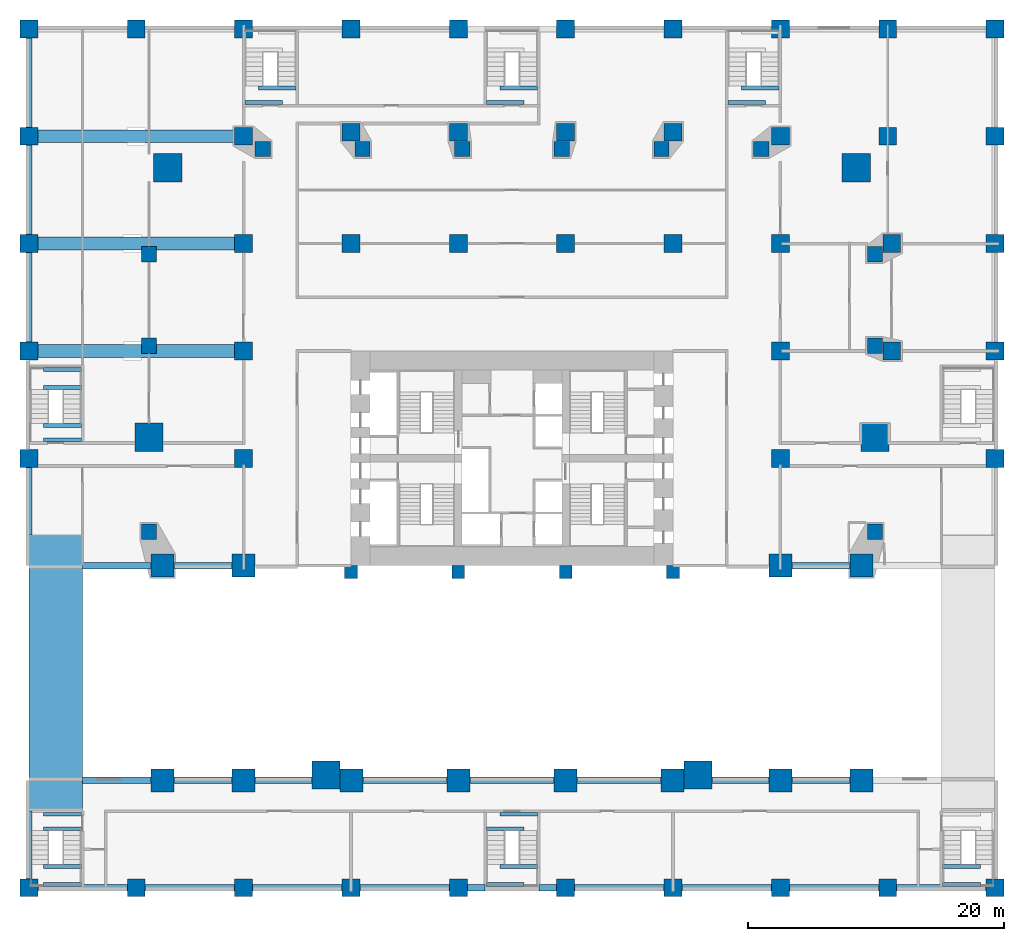
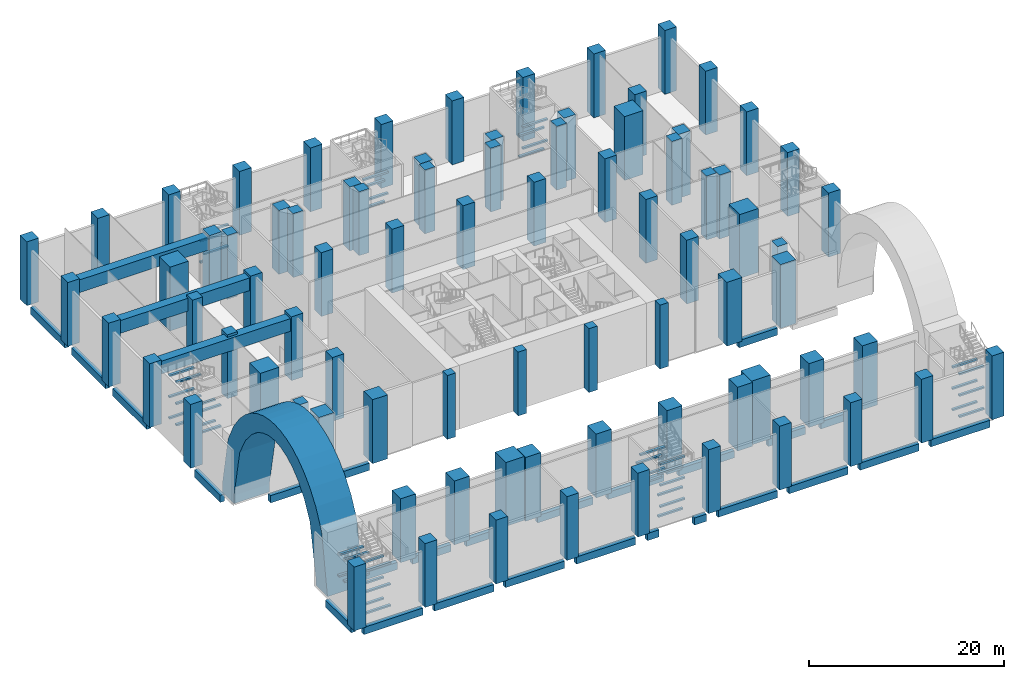
# One storey, part 1 of 19: 81 columns, 78 beams.
"""IFC4 building model written with IfcOpenShell, lengths in metres."""

from ifc_helpers import new_model, si_unit, direction, frame, frame_2d, origin, origin_2d, place, context, subcontext, project, spatial, polyline, rectangle, outline, extrude, material, layer, layer_set, material_profile, profile_set, type_object, element, save


model = new_model("IFC4")

# Units and contexts
model_context = context("Model", 3, precision=1e-05, world=origin(), true_north=direction((0.0, 1.0)))
body_context = subcontext(model_context, "Body", "Model", "MODEL_VIEW")
ifc_project = project(units=[si_unit("LENGTHUNIT", "METRE"), si_unit("AREAUNIT", "SQUARE_METRE"), si_unit("VOLUMEUNIT", "CUBIC_METRE"), si_unit("PLANEANGLEUNIT", "RADIAN"), si_unit("MASSUNIT", "GRAM", prefix="KILO")], contexts=[model_context])

# Site, building, storey
site_placement = place(None, origin())
site = spatial("IfcSite", under=ifc_project, at=site_placement, CompositionType="ELEMENT")
building_placement = place(site_placement, origin())
building = spatial("IfcBuilding", under=site, at=building_placement, Name="Marenta Gate Hotel Tower", CompositionType="ELEMENT")
storey_placement = place(building_placement, frame((0.0, 0.0, 13.0)))
storey = spatial("IfcBuildingStorey", under=building, at=storey_placement, Name="L02", CompositionType="ELEMENT", Elevation=13.0)

# Columns
ifc_material_1 = material(Name="Concrete C80", Category="concrete")
ifc_material_profile_1 = material_profile(ifc_material_1, rectangle(XDim=1.0, YDim=1.0, at=origin_2d()), Name="1000 x 1000")
ifc_profile_set_1 = profile_set([ifc_material_profile_1], Name="Concrete C80")
column_type_1 = type_object("IfcColumnType", Name="Core pier 1000 x 1000 C80", PredefinedType="COLUMN", material=ifc_profile_set_1)
for number, where, z_axis, x_axis, name in (
    (1, (-12.60009765625, -0.5, 0.0), (0.0, 0.0, 1.0), (1.0, 0.0, 0.0), "L02-CP--12.6"),
    (2, (-4.199951171875, -0.5, 0.0), (0.0, 0.0, 1.0), (1.0, 0.0, 0.0), "L02-CP--4.2"),
    (3, (4.199951171875, -0.5, 0.0), (0.0, 0.0, 1.0), (1.0, 0.0, 0.0), "L02-CP-+4.2"),
    (4, (12.60009765625, -0.5, 0.0), (0.0, 0.0, 1.0), (1.0, 0.0, 0.0), "L02-CP-+12.6"),
):
    element("IfcColumn", number, at=place(storey_placement, frame(where, z_axis=z_axis, x_axis=x_axis)), inside=storey, type_object=column_type_1, Name=name, PredefinedType="COLUMN", context=body_context, shape_type="SweptSolid", body=[
        extrude(rectangle(XDim=1.0, YDim=1.0, at=origin_2d()), origin(), (0.0, 0.0, 1.0), 8.0),
    ])
ifc_material_2 = material(Name="Concrete C80", Category="concrete")
ifc_material_profile_2 = material_profile(ifc_material_2, rectangle(XDim=1.800048828125, YDim=1.800048828125, at=origin_2d()), Name="1800 x 1800")
ifc_profile_set_2 = profile_set([ifc_material_profile_2], Name="Concrete C80")
column_type_2 = type_object("IfcColumnType", Name="Gate lane column 1800 x 1800 C80", PredefinedType="COLUMN", material=ifc_profile_set_2)
for number, where, z_axis, x_axis, name in (
    (5, (-21.0, -16.800048828125, 0.0), (0.0, 0.0, 1.0), (1.0, 0.0, 0.0), "L02-PCOL-4/D"),
    (6, (-12.54638671875, -16.800048828125, 0.0), (0.0, 0.0, 1.0), (1.0, 0.0, 0.0), "L02-PCOL-5/D"),
    (7, (-4.199951171875, -16.800048828125, 0.0), (0.0, 0.0, 1.0), (1.0, 0.0, 0.0), "L02-PCOL-6/D"),
    (8, (4.199951171875, -16.800048828125, 0.0), (0.0, 0.0, 1.0), (1.0, 0.0, 0.0), "L02-PCOL-7/D"),
    (9, (12.54638671875, -16.800048828125, 0.0), (0.0, 0.0, 1.0), (1.0, 0.0, 0.0), "L02-PCOL-8/D"),
    (10, (21.0, -16.800048828125, 0.0), (0.0, 0.0, 1.0), (1.0, 0.0, 0.0), "L02-PCOL-9/D"),
    (11, (-21.0, 0.0, 0.0), (0.0, 0.0, 1.0), (1.0, 0.0, 0.0), "L02-PCOL-4/F"),
    (12, (21.0, 0.0, 0.0), (0.0, 0.0, 1.0), (1.0, 0.0, 0.0), "L02-PCOL-9/F"),
    (13, (-27.363037109375, -16.800048828125, 0.0), (0.0, 0.0, 1.0), (1.0, 0.0, 0.0), "L02-PCOL-WS-lane"),
    (14, (-27.363037109375, 0.0, 0.0), (0.0, 0.0, 1.0), (1.0, 0.0, 0.0), "L02-PCOL-WN-lane"),
    (15, (27.363037109375, -16.800048828125, 0.0), (0.0, 0.0, 1.0), (1.0, 0.0, 0.0), "L02-PCOL-ES-lane"),
    (16, (27.363037109375, 0.0, 0.0), (0.0, 0.0, 1.0), (1.0, 0.0, 0.0), "L02-PCOL-EN-lane"),
):
    element("IfcColumn", number, at=place(storey_placement, frame(where, z_axis=z_axis, x_axis=x_axis)), inside=storey, type_object=column_type_2, Name=name, PredefinedType="COLUMN", context=body_context, shape_type="SweptSolid", body=[
        extrude(rectangle(XDim=1.800048828125, YDim=1.800048828125, at=origin_2d()), origin(), (0.0, 0.0, 1.0), 8.0),
    ])
ifc_material_3 = material(Name="Concrete C70", Category="concrete")
ifc_material_profile_3 = material_profile(ifc_material_3, rectangle(XDim=1.199951171875, YDim=1.199951171875, at=origin_2d()), Name="1200 x 1200")
ifc_profile_set_3 = profile_set([ifc_material_profile_3], Name="Concrete C70")
column_type_3 = type_object("IfcColumnType", Name="Podium base column 1200 x 1200 C70", PredefinedType="COLUMN", material=ifc_profile_set_3)
for number, where, z_axis, x_axis, name in (
    (17, (-28.39990234375, 2.649169921875, 0.0), (0.0, 0.0, 1.0), (1.0, 0.0, 0.0), "L02-BC-SW-W-2"),
    (18, (-28.39990234375, 17.203125, 0.0), (0.0, 0.0, 1.0), (1.0, 0.0, 0.0), "L02-BC-W-NW-1"),
    (19, (-28.39990234375, 24.3564453125, 0.0), (0.0, 0.0, 1.0), (1.0, 0.0, 0.0), "L02-BC-W-NW-2"),
    (20, (-19.5068359375, 32.60009765625, 0.0), (0.0, 0.0, 1.0), (1.0, 0.0, 0.0), "L02-BC-NW-NE-1"),
    (21, (-11.7041015625, 32.60009765625, 0.0), (0.0, 0.0, 1.0), (1.0, 0.0, 0.0), "L02-BC-NW-NE-2"),
    (22, (-3.9013671875, 32.60009765625, 0.0), (0.0, 0.0, 1.0), (1.0, 0.0, 0.0), "L02-BC-NW-NE-3"),
    (23, (3.9013671875, 32.60009765625, 0.0), (0.0, 0.0, 1.0), (1.0, 0.0, 0.0), "L02-BC-NW-NE-4"),
    (24, (11.7041015625, 32.60009765625, 0.0), (0.0, 0.0, 1.0), (1.0, 0.0, 0.0), "L02-BC-NW-NE-5"),
    (25, (19.5068359375, 32.60009765625, 0.0), (0.0, 0.0, 1.0), (1.0, 0.0, 0.0), "L02-BC-NW-NE-6"),
    (26, (28.39990234375, 24.3564453125, 0.0), (0.0, 0.0, 1.0), (1.0, 0.0, 0.0), "L02-BC-NE-E-1"),
    (27, (28.39990234375, 17.203125, 0.0), (0.0, 0.0, 1.0), (1.0, 0.0, 0.0), "L02-BC-NE-E-2"),
    (28, (28.39990234375, 2.649169921875, 0.0), (0.0, 0.0, 1.0), (1.0, 0.0, 0.0), "L02-BC-E-SE-1"),
):
    element("IfcColumn", number, at=place(storey_placement, frame(where, z_axis=z_axis, x_axis=x_axis)), inside=storey, type_object=column_type_3, Name=name, PredefinedType="COLUMN", context=body_context, shape_type="SweptSolid", body=[
        extrude(rectangle(XDim=1.199951171875, YDim=1.199951171875, at=origin_2d()), origin(), (0.0, 0.0, 1.0), 8.0),
    ])
ifc_material_4 = material(Name="Concrete C70", Category="concrete")
ifc_material_profile_4 = material_profile(ifc_material_4, rectangle(XDim=1.39990234375, YDim=1.39990234375, at=origin_2d()), Name="1400 x 1400")
ifc_profile_set_4 = profile_set([ifc_material_profile_4], Name="Concrete C70")
column_type_4 = type_object("IfcColumnType", Name="Podium column 1400 x 1400 C70", PredefinedType="COLUMN", material=ifc_profile_set_4)
for number, where, z_axis, x_axis, name in (
    (29, (-37.800048828125, -25.199951171875, 0.0), (0.0, 0.0, 1.0), (1.0, 0.0, 0.0), "L02-PCOL-2/C"),
    (30, (-29.39990234375, -25.199951171875, 0.0), (0.0, 0.0, 1.0), (1.0, 0.0, 0.0), "L02-PCOL-3/C"),
    (31, (-21.0, -25.199951171875, 0.0), (0.0, 0.0, 1.0), (1.0, 0.0, 0.0), "L02-PCOL-4/C"),
    (32, (-12.60009765625, -25.199951171875, 0.0), (0.0, 0.0, 1.0), (1.0, 0.0, 0.0), "L02-PCOL-5/C"),
    (33, (-4.199951171875, -25.199951171875, 0.0), (0.0, 0.0, 1.0), (1.0, 0.0, 0.0), "L02-PCOL-6/C"),
    (34, (4.199951171875, -25.199951171875, 0.0), (0.0, 0.0, 1.0), (1.0, 0.0, 0.0), "L02-PCOL-7/C"),
    (35, (12.60009765625, -25.199951171875, 0.0), (0.0, 0.0, 1.0), (1.0, 0.0, 0.0), "L02-PCOL-8/C"),
    (36, (21.0, -25.199951171875, 0.0), (0.0, 0.0, 1.0), (1.0, 0.0, 0.0), "L02-PCOL-9/C"),
    (37, (29.39990234375, -25.199951171875, 0.0), (0.0, 0.0, 1.0), (1.0, 0.0, 0.0), "L02-PCOL-10/C"),
    (38, (37.800048828125, -25.199951171875, 0.0), (0.0, 0.0, 1.0), (1.0, 0.0, 0.0), "L02-PCOL-11/C"),
    (39, (-37.800048828125, 8.39990234375, 0.0), (0.0, 0.0, 1.0), (1.0, 0.0, 0.0), "L02-PCOL-2/G"),
    (40, (-21.0, 8.39990234375, 0.0), (0.0, 0.0, 1.0), (1.0, 0.0, 0.0), "L02-PCOL-4/G"),
    (41, (21.0, 8.39990234375, 0.0), (0.0, 0.0, 1.0), (1.0, 0.0, 0.0), "L02-PCOL-9/G"),
    (42, (37.800048828125, 8.39990234375, 0.0), (0.0, 0.0, 1.0), (1.0, 0.0, 0.0), "L02-PCOL-11/G"),
    (43, (-37.800048828125, 16.800048828125, 0.0), (0.0, 0.0, 1.0), (1.0, 0.0, 0.0), "L02-PCOL-2/H"),
    (44, (-21.0, 16.800048828125, 0.0), (0.0, 0.0, 1.0), (1.0, 0.0, 0.0), "L02-PCOL-4/H"),
    (45, (21.0, 16.800048828125, 0.0), (0.0, 0.0, 1.0), (1.0, 0.0, 0.0), "L02-PCOL-9/H"),
    (46, (29.719970703125, 16.800048828125, 0.0), (0.0, 0.0, 1.0), (1.0, 0.0, 0.0), "L02-PCOL-10/H"),
    (47, (37.800048828125, 16.800048828125, 0.0), (0.0, 0.0, 1.0), (1.0, 0.0, 0.0), "L02-PCOL-11/H"),
    (48, (-37.800048828125, 25.199951171875, 0.0), (0.0, 0.0, 1.0), (1.0, 0.0, 0.0), "L02-PCOL-2/I"),
    (49, (-21.0, 25.199951171875, 0.0), (0.0, 0.0, 1.0), (1.0, 0.0, 0.0), "L02-PCOL-4/I"),
    (50, (-12.60009765625, 25.199951171875, 0.0), (0.0, 0.0, 1.0), (1.0, 0.0, 0.0), "L02-PCOL-5/I"),
    (51, (-4.199951171875, 25.199951171875, 0.0), (0.0, 0.0, 1.0), (1.0, 0.0, 0.0), "L02-PCOL-6/I"),
    (52, (4.199951171875, 25.199951171875, 0.0), (0.0, 0.0, 1.0), (1.0, 0.0, 0.0), "L02-PCOL-7/I"),
    (53, (12.60009765625, 25.199951171875, 0.0), (0.0, 0.0, 1.0), (1.0, 0.0, 0.0), "L02-PCOL-8/I"),
    (54, (21.0, 25.199951171875, 0.0), (0.0, 0.0, 1.0), (1.0, 0.0, 0.0), "L02-PCOL-9/I"),
    (55, (29.719970703125, 25.199951171875, 0.0), (0.0, 0.0, 1.0), (1.0, 0.0, 0.0), "L02-PCOL-10/I"),
    (56, (37.800048828125, 25.199951171875, 0.0), (0.0, 0.0, 1.0), (1.0, 0.0, 0.0), "L02-PCOL-11/I"),
    (57, (-37.800048828125, 33.60009765625, 0.0), (0.0, 0.0, 1.0), (1.0, 0.0, 0.0), "L02-PCOL-2/J"),
    (58, (-21.0, 33.60009765625, 0.0), (0.0, 0.0, 1.0), (1.0, 0.0, 0.0), "L02-PCOL-4/J"),
    (59, (-12.60009765625, 33.919921875, 0.0), (0.0, 0.0, 1.0), (1.0, 0.0, 0.0), "L02-PCOL-5/J"),
    (60, (-4.199951171875, 33.919921875, 0.0), (0.0, 0.0, 1.0), (1.0, 0.0, 0.0), "L02-PCOL-6/J"),
    (61, (4.199951171875, 33.919921875, 0.0), (0.0, 0.0, 1.0), (1.0, 0.0, 0.0), "L02-PCOL-7/J"),
    (62, (12.60009765625, 33.919921875, 0.0), (0.0, 0.0, 1.0), (1.0, 0.0, 0.0), "L02-PCOL-8/J"),
    (63, (21.0, 33.60009765625, 0.0), (0.0, 0.0, 1.0), (1.0, 0.0, 0.0), "L02-PCOL-9/J"),
    (64, (29.39990234375, 33.60009765625, 0.0), (0.0, 0.0, 1.0), (1.0, 0.0, 0.0), "L02-PCOL-10/J"),
    (65, (37.800048828125, 33.60009765625, 0.0), (0.0, 0.0, 1.0), (1.0, 0.0, 0.0), "L02-PCOL-11/J"),
    (66, (-37.800048828125, 42.0, 0.0), (0.0, 0.0, 1.0), (1.0, 0.0, 0.0), "L02-PCOL-2/K"),
    (67, (-29.39990234375, 42.0, 0.0), (0.0, 0.0, 1.0), (1.0, 0.0, 0.0), "L02-PCOL-3/K"),
    (68, (-21.0, 42.0, 0.0), (0.0, 0.0, 1.0), (1.0, 0.0, 0.0), "L02-PCOL-4/K"),
    (69, (-12.60009765625, 42.0, 0.0), (0.0, 0.0, 1.0), (1.0, 0.0, 0.0), "L02-PCOL-5/K"),
    (70, (-4.199951171875, 42.0, 0.0), (0.0, 0.0, 1.0), (1.0, 0.0, 0.0), "L02-PCOL-6/K"),
    (71, (4.199951171875, 42.0, 0.0), (0.0, 0.0, 1.0), (1.0, 0.0, 0.0), "L02-PCOL-7/K"),
    (72, (12.60009765625, 42.0, 0.0), (0.0, 0.0, 1.0), (1.0, 0.0, 0.0), "L02-PCOL-8/K"),
    (73, (21.0, 42.0, 0.0), (0.0, 0.0, 1.0), (1.0, 0.0, 0.0), "L02-PCOL-9/K"),
    (74, (29.39990234375, 42.0, 0.0), (0.0, 0.0, 1.0), (1.0, 0.0, 0.0), "L02-PCOL-10/K"),
    (75, (37.800048828125, 42.0, 0.0), (0.0, 0.0, 1.0), (1.0, 0.0, 0.0), "L02-PCOL-11/K"),
):
    element("IfcColumn", number, at=place(storey_placement, frame(where, z_axis=z_axis, x_axis=x_axis)), inside=storey, type_object=column_type_4, Name=name, PredefinedType="COLUMN", context=body_context, shape_type="SweptSolid", body=[
        extrude(rectangle(XDim=1.39990234375, YDim=1.39990234375, at=origin_2d()), origin(), (0.0, 0.0, 1.0), 8.0),
    ])
ifc_material_5 = material(Name="Concrete C80", Category="concrete")
ifc_material_profile_5 = material_profile(ifc_material_5, rectangle(XDim=2.199951171875, YDim=2.199951171875, at=origin_2d()), Name="2200 x 2200")
ifc_profile_set_5 = profile_set([ifc_material_profile_5], Name="Concrete C80")
column_type_5 = type_object("IfcColumnType", Name="Podium column under mega column 2200 x 2200 C80", PredefinedType="COLUMN", material=ifc_profile_set_5)
for number, where, z_axis, x_axis, name in (
    (76, (28.39990234375, 10.050048828125, 0.0), (0.0, 0.0, 1.0), (1.0, 0.0, 0.0), "L02-PCOL-E-mega"),
    (77, (-28.39990234375, 10.050048828125, 0.0), (0.0, 0.0, 1.0), (1.0, 0.0, 0.0), "L02-PCOL-W-mega"),
    (78, (26.935546875, 31.135498046875, 0.0), (0.0, 0.0, 1.0), (1.0, 0.0, 0.0), "L02-PCOL-NE-mega"),
    (79, (-26.935546875, 31.135498046875, 0.0), (0.0, 0.0, 1.0), (1.0, 0.0, 0.0), "L02-PCOL-NW-mega"),
    (80, (-14.56640625, -16.374755859375, 0.0), (0.0, 0.0, 1.0), (1.0, 0.0, 0.0), "L02-PCOL-SKW-mega"),
    (81, (14.56640625, -16.374755859375, 0.0), (0.0, 0.0, 1.0), (1.0, 0.0, 0.0), "L02-PCOL-SKE-mega"),
):
    element("IfcColumn", number, at=place(storey_placement, frame(where, z_axis=z_axis, x_axis=x_axis)), inside=storey, type_object=column_type_5, Name=name, PredefinedType="COLUMN", context=body_context, shape_type="SweptSolid", body=[
        extrude(rectangle(XDim=2.199951171875, YDim=2.199951171875, at=origin_2d()), origin(), (0.0, 0.0, 1.0), 8.0),
    ])

# Beams
ifc_material_6 = material(Name="Concrete C80", Category="concrete")
ifc_layer = layer(ifc_material_6, 4.199951171875)
ifc_layer_set = layer_set([ifc_layer], Name="Concrete C80")
beam_type_1 = type_object("IfcBeamType", Name="Gate arch rib 4200 C80", PredefinedType="BEAM", material=ifc_layer_set)
beam_1_placement = place(storey_placement, frame((-37.800048828125, -19.199951171875, 0.0), z_axis=(-1.0, 0.0, 0.0), x_axis=(0.0, 0.159774095721, 0.987153604226)))
element("IfcBeam", 82, at=beam_1_placement, inside=storey, type_object=beam_type_1, Name="AR1 L02-AR-W", PredefinedType="BEAM", context=body_context, shape_type="SweptSolid", body=[
    extrude(outline(polyline([(0.0, 0.0), (7.510298627930183, 2.220446049250313e-16), (10.057113740471001, 0.8033563235795023), (11.863322645544399, 1.7265822262976205), (13.24516198935161, 2.7187410724165106), (14.325947957725711, 3.7593790913751874), (15.167175653980511, 4.838790413836561), (15.803790701312485, 5.951318974400337), (16.255555452149988, 7.093766170564281), (16.5328720986506, 8.26469569068001), (16.63903668628983, 9.46307942328547), (16.570714162244585, 10.689704475544806), (16.317541341704867, 11.94624816340431), (15.85975587224232, 13.235909089366219), (15.162451138008063, 14.564584323128727), (14.164093028340696, 15.941738729731027), (12.741326350059555, 17.38758507543619), (10.577953464310992, 18.953301000279968), (4.438250667399083, 21.162599152981876), (3.451097063173065, 21.322373248703247), (3.067654836380809, 18.953301000279968), (4.054808440606827, 18.793526904558597), (9.964593137315704, 16.621441761455856), (11.961673057508616, 15.08264090644795), (13.200996457735137, 13.666238147959522), (13.990644845415265, 12.322864104368627), (14.448189310579902, 11.033242185754307), (14.628819837449692, 9.788439709518858), (14.558564890198562, 8.584243882122752), (14.245338603309849, 7.41912645679767), (13.681265849647803, 6.294856684609838), (12.84027915769091, 5.215406354800876), (11.667188543218526, 4.1897081499684905), (10.044383908852161, 3.2367976557357316), (7.663822754519407, 2.406285258022448), (1.3705958310182738, 2.2092981527019098), (0.3834422267922556, 2.369072248423281), (0.0, 0.0)])), origin(), (0.0, 0.0, -1.0), 4.199951171875),
])
ifc_material_7 = material(Name="Concrete C70", Category="concrete")
ifc_material_profile_6 = material_profile(ifc_material_7, rectangle(XDim=1.0, YDim=1.60009765625, at=origin_2d()), Name="1000 x 1600")
ifc_profile_set_6 = profile_set([ifc_material_profile_6], Name="Concrete C70")
beam_type_2 = type_object("IfcBeamType", Name="Hall transfer girder 1000 x 1600 C70", PredefinedType="BEAM", material=ifc_profile_set_6)
for number, where, z_axis, x_axis, name in (
    (83, (-37.25, 16.800048828125, 7.679931640625), (1.0, 0.0, 0.0), (0.0, 1.0, 0.0), "L02-HG-168"),
    (84, (-37.25, 25.199951171875, 7.679931640625), (1.0, 0.0, 0.0), (0.0, 1.0, 0.0), "L02-HG-252"),
    (85, (-37.25, 33.60009765625, 7.679931640625), (1.0, 0.0, 0.0), (0.0, 1.0, 0.0), "L02-HG-336"),
):
    element("IfcBeam", number, at=place(storey_placement, frame(where, z_axis=z_axis, x_axis=x_axis)), inside=storey, type_object=beam_type_2, Name=name, PredefinedType="BEAM", context=body_context, shape_type="SweptSolid", body=[
        extrude(rectangle(XDim=1.0, YDim=1.60009765625, at=frame_2d((0.0, -0.800048828125))), origin(), (0.0, 0.0, 1.0), 15.699951171875),
    ])
ifc_material_8 = material(Name="Concrete C60", Category="concrete")
ifc_material_profile_7 = material_profile(ifc_material_8, rectangle(XDim=0.5, YDim=0.89990234375, at=origin_2d()), Name="500 x 900")
ifc_profile_set_7 = profile_set([ifc_material_profile_7], Name="Concrete C60")
beam_type_3 = type_object("IfcBeamType", Name="Podium edge beam 500 x 900 C60", PredefinedType="BEAM", material=ifc_profile_set_7)
for number, where, z_axis, x_axis, name in (
    (86, (-37.10009765625, -25.199951171875, -0.77001953125), (1.0, 0.0, 0.0), (0.0, 1.0, 0.0), "L02-PBM-44"),
    (87, (-28.699951171875, -25.199951171875, -0.77001953125), (1.0, 0.0, 0.0), (0.0, 1.0, 0.0), "L02-PBM-45"),
    (88, (-20.300048828125, -25.199951171875, -0.77001953125), (1.0, 0.0, 0.0), (0.0, 1.0, 0.0), "L02-PBM-46"),
    (89, (-11.89990234375, -25.199951171875, -0.77001953125), (1.0, 0.0, 0.0), (0.0, 1.0, 0.0), "L02-PBM-47"),
):
    element("IfcBeam", number, at=place(storey_placement, frame(where, z_axis=z_axis, x_axis=x_axis)), inside=storey, type_object=beam_type_3, Name=name, PredefinedType="BEAM", context=body_context, shape_type="SweptSolid", body=[
        extrude(rectangle(XDim=0.5, YDim=0.89990234375, at=origin_2d()), origin(), (0.0, 0.0, 1.0), 7.0),
    ])
for number, where, z_axis, x_axis, name in (
    (90, (-3.5, -25.199951171875, -0.77001953125), (1.0, 0.0, 0.0), (0.0, 1.0, 0.0), "L02-PBM-48"),
    (91, (2.10009765625, -25.199951171875, -0.77001953125), (1.0, 0.0, 0.0), (0.0, 1.0, 0.0), "L02-PBM-49"),
):
    element("IfcBeam", number, at=place(storey_placement, frame(where, z_axis=z_axis, x_axis=x_axis)), inside=storey, type_object=beam_type_3, Name=name, PredefinedType="BEAM", context=body_context, shape_type="SweptSolid", body=[
        extrude(rectangle(XDim=0.5, YDim=0.89990234375, at=origin_2d()), origin(), (0.0, 0.0, 1.0), 1.39990234375),
    ])
for number, where, z_axis, x_axis, name in (
    (92, (4.89990234375, -25.199951171875, -0.77001953125), (1.0, 0.0, 0.0), (0.0, 1.0, 0.0), "L02-PBM-50"),
    (93, (13.300048828125, -25.199951171875, -0.77001953125), (1.0, 0.0, 0.0), (0.0, 1.0, 0.0), "L02-PBM-51"),
    (94, (21.699951171875, -25.199951171875, -0.77001953125), (1.0, 0.0, 0.0), (0.0, 1.0, 0.0), "L02-PBM-52"),
    (95, (30.10009765625, -25.199951171875, -0.77001953125), (1.0, 0.0, 0.0), (0.0, 1.0, 0.0), "L02-PBM-53"),
):
    element("IfcBeam", number, at=place(storey_placement, frame(where, z_axis=z_axis, x_axis=x_axis)), inside=storey, type_object=beam_type_3, Name=name, PredefinedType="BEAM", context=body_context, shape_type="SweptSolid", body=[
        extrude(rectangle(XDim=0.5, YDim=0.89990234375, at=origin_2d()), origin(), (0.0, 0.0, 1.0), 7.0),
    ])
beam_2_placement = place(storey_placement, frame((26.462890625, -16.800048828125, -0.77001953125), z_axis=(-1.0, 0.0, 0.0), x_axis=(0.0, -1.0, 0.0)))
element("IfcBeam", 96, at=beam_2_placement, inside=storey, type_object=beam_type_3, Name="L02-PBM-56", PredefinedType="BEAM", context=body_context, shape_type="SweptSolid", body=[
    extrude(rectangle(XDim=0.5, YDim=0.89990234375, at=origin_2d()), origin(), (0.0, 0.0, 1.0), 4.56298828125),
])
beam_3_placement = place(storey_placement, frame((20.10009765625, -16.800048828125, -0.77001953125), z_axis=(-1.0, 0.0, 0.0), x_axis=(0.0, -1.0, 0.0)))
element("IfcBeam", 97, at=beam_3_placement, inside=storey, type_object=beam_type_3, Name="L02-PBM-57", PredefinedType="BEAM", context=body_context, shape_type="SweptSolid", body=[
    extrude(rectangle(XDim=0.5, YDim=0.89990234375, at=origin_2d()), origin(), (0.0, 0.0, 1.0), 4.433837890625),
])
beam_4_placement = place(storey_placement, frame((11.646240234375, -16.800048828125, -0.77001953125), z_axis=(-1.0, 0.0, 0.0), x_axis=(0.0, -1.0, 0.0)))
element("IfcBeam", 98, at=beam_4_placement, inside=storey, type_object=beam_type_3, Name="L02-PBM-58", PredefinedType="BEAM", context=body_context, shape_type="SweptSolid", body=[
    extrude(rectangle(XDim=0.5, YDim=0.89990234375, at=origin_2d()), origin(), (0.0, 0.0, 1.0), 6.546142578125),
])
beam_5_placement = place(storey_placement, frame((3.300048828125, -16.800048828125, -0.77001953125), z_axis=(-1.0, 0.0, 0.0), x_axis=(0.0, -1.0, 0.0)))
element("IfcBeam", 99, at=beam_5_placement, inside=storey, type_object=beam_type_3, Name="L02-PBM-59", PredefinedType="BEAM", context=body_context, shape_type="SweptSolid", body=[
    extrude(rectangle(XDim=0.5, YDim=0.89990234375, at=origin_2d()), origin(), (0.0, 0.0, 1.0), 6.60009765625),
])
beam_6_placement = place(storey_placement, frame((-5.10009765625, -16.800048828125, -0.77001953125), z_axis=(-1.0, 0.0, 0.0), x_axis=(0.0, -1.0, 0.0)))
element("IfcBeam", 100, at=beam_6_placement, inside=storey, type_object=beam_type_3, Name="L02-PBM-60", PredefinedType="BEAM", context=body_context, shape_type="SweptSolid", body=[
    extrude(rectangle(XDim=0.5, YDim=0.89990234375, at=origin_2d()), origin(), (0.0, 0.0, 1.0), 6.546142578125),
])
beam_7_placement = place(storey_placement, frame((-15.666259765625, -16.800048828125, -0.77001953125), z_axis=(-1.0, 0.0, 0.0), x_axis=(0.0, -1.0, 0.0)))
element("IfcBeam", 101, at=beam_7_placement, inside=storey, type_object=beam_type_3, Name="L02-PBM-61", PredefinedType="BEAM", context=body_context, shape_type="SweptSolid", body=[
    extrude(rectangle(XDim=0.5, YDim=0.89990234375, at=origin_2d()), origin(), (0.0, 0.0, 1.0), 4.433837890625),
])
beam_8_placement = place(storey_placement, frame((-21.89990234375, -16.800048828125, -0.77001953125), z_axis=(-1.0, 0.0, 0.0), x_axis=(0.0, -1.0, 0.0)))
element("IfcBeam", 102, at=beam_8_placement, inside=storey, type_object=beam_type_3, Name="L02-PBM-62", PredefinedType="BEAM", context=body_context, shape_type="SweptSolid", body=[
    extrude(rectangle(XDim=0.5, YDim=0.89990234375, at=origin_2d()), origin(), (0.0, 0.0, 1.0), 4.56298828125),
])
beam_9_placement = place(storey_placement, frame((-28.262939453125, -16.800048828125, -0.77001953125), z_axis=(-1.0, 0.0, 0.0), x_axis=(0.0, -1.0, 0.0)))
element("IfcBeam", 103, at=beam_9_placement, inside=storey, type_object=beam_type_3, Name="L02-PBM-63", PredefinedType="BEAM", context=body_context, shape_type="SweptSolid", body=[
    extrude(rectangle(XDim=0.5, YDim=0.89990234375, at=origin_2d()), origin(), (0.0, 0.0, 1.0), 5.337158203125),
])
beam_10_placement = place(storey_placement, frame((-37.800048828125, -19.199951171875, -0.77001953125), z_axis=(0.0, -1.0, 0.0), x_axis=(1.0, 0.0, 0.0)))
element("IfcBeam", 104, at=beam_10_placement, inside=storey, type_object=beam_type_3, Name="L02-PBM-64", PredefinedType="BEAM", context=body_context, shape_type="SweptSolid", body=[
    extrude(rectangle(XDim=0.5, YDim=0.89990234375, at=origin_2d()), origin(), (0.0, 0.0, 1.0), 5.300048828125),
])
beam_11_placement = place(storey_placement, frame((-33.60009765625, 0.0, -0.77001953125), z_axis=(1.0, 0.0, 0.0), x_axis=(0.0, 1.0, 0.0)))
element("IfcBeam", 105, at=beam_11_placement, inside=storey, type_object=beam_type_3, Name="L02-PBM-65", PredefinedType="BEAM", context=body_context, shape_type="SweptSolid", body=[
    extrude(rectangle(XDim=0.5, YDim=0.89990234375, at=origin_2d()), origin(), (0.0, 0.0, 1.0), 5.337158203125),
])
for number, where, z_axis, x_axis, name in (
    (106, (-26.462890625, 0.0, -0.77001953125), (1.0, 0.0, 0.0), (0.0, 1.0, 0.0), "L02-PBM-66"),
    (107, (21.89990234375, 0.0, -0.77001953125), (1.0, 0.0, 0.0), (0.0, 1.0, 0.0), "L02-PBM-67"),
):
    element("IfcBeam", number, at=place(storey_placement, frame(where, z_axis=z_axis, x_axis=x_axis)), inside=storey, type_object=beam_type_3, Name=name, PredefinedType="BEAM", context=body_context, shape_type="SweptSolid", body=[
        extrude(rectangle(XDim=0.5, YDim=0.89990234375, at=origin_2d()), origin(), (0.0, 0.0, 1.0), 4.56298828125),
    ])
for number, where, z_axis, x_axis, name in (
    (108, (-37.800048828125, 41.300048828125, -0.77001953125), (0.0, -1.0, 0.0), (1.0, 0.0, 0.0), "L02-PBM-83"),
    (109, (-37.800048828125, 32.89990234375, -0.77001953125), (0.0, -1.0, 0.0), (1.0, 0.0, 0.0), "L02-PBM-84"),
    (110, (-37.800048828125, 24.5, -0.77001953125), (0.0, -1.0, 0.0), (1.0, 0.0, 0.0), "L02-PBM-85"),
):
    element("IfcBeam", number, at=place(storey_placement, frame(where, z_axis=z_axis, x_axis=x_axis)), inside=storey, type_object=beam_type_3, Name=name, PredefinedType="BEAM", context=body_context, shape_type="SweptSolid", body=[
        extrude(rectangle(XDim=0.5, YDim=0.89990234375, at=origin_2d()), origin(), (0.0, 0.0, 1.0), 7.0),
    ])
beam_12_placement = place(storey_placement, frame((-37.800048828125, 7.699951171875, -0.77001953125), z_axis=(0.0, -1.0, 0.0), x_axis=(1.0, 0.0, 0.0)))
element("IfcBeam", 111, at=beam_12_placement, inside=storey, type_object=beam_type_3, Name="L02-PBM-86", PredefinedType="BEAM", context=body_context, shape_type="SweptSolid", body=[
    extrude(rectangle(XDim=0.5, YDim=0.89990234375, at=origin_2d()), origin(), (0.0, 0.0, 1.0), 5.300048828125),
])
ifc_material_9 = material(Name="Concrete C40", Category="concrete")
ifc_material_profile_8 = material_profile(ifc_material_9, rectangle(XDim=0.300048828125, YDim=0.199951171875, at=origin_2d()), Name="300 x 200")
ifc_profile_set_8 = profile_set([ifc_material_profile_8], Name="Concrete C40")
beam_type_4 = type_object("IfcBeamType", Name="Stair landing trimmer 300 x 200 C40", PredefinedType="BEAM", material=ifc_profile_set_8)
for number, where, z_axis, x_axis, name in (
    (112, (-36.64990234375, -24.949951171875, 1.033203125), (1.0, 0.0, 0.0), (0.0, 1.0, 0.0), "L02-PX1-LT-1"),
    (113, (-36.64990234375, -23.5400390625, 1.033203125), (1.0, 0.0, 0.0), (0.0, 1.0, 0.0), "L02-PX1-LT-2"),
    (114, (-36.64990234375, -20.580078125, 2.36669921875), (1.0, 0.0, 0.0), (0.0, 1.0, 0.0), "L02-PX1-LT-3"),
    (115, (-36.64990234375, -19.449951171875, 2.36669921875), (1.0, 0.0, 0.0), (0.0, 1.0, 0.0), "L02-PX1-LT-4"),
    (116, (-36.64990234375, -24.949951171875, 3.699951171875), (1.0, 0.0, 0.0), (0.0, 1.0, 0.0), "L02-PX1-LT-5"),
    (117, (-36.64990234375, -23.5400390625, 3.699951171875), (1.0, 0.0, 0.0), (0.0, 1.0, 0.0), "L02-PX1-LT-6"),
    (118, (-36.64990234375, -20.580078125, 5.033203125), (1.0, 0.0, 0.0), (0.0, 1.0, 0.0), "L02-PX1-LT-7"),
    (119, (-36.64990234375, -19.449951171875, 5.033203125), (1.0, 0.0, 0.0), (0.0, 1.0, 0.0), "L02-PX1-LT-8"),
    (120, (-36.64990234375, -24.949951171875, 6.36669921875), (1.0, 0.0, 0.0), (0.0, 1.0, 0.0), "L02-PX1-LT-9"),
    (121, (-36.64990234375, -23.5400390625, 6.36669921875), (1.0, 0.0, 0.0), (0.0, 1.0, 0.0), "L02-PX1-LT-10"),
    (122, (33.699951171875, -24.949951171875, 1.033203125), (1.0, 0.0, 0.0), (0.0, 1.0, 0.0), "L02-PX2-LT-1"),
    (123, (33.699951171875, -23.5400390625, 1.033203125), (1.0, 0.0, 0.0), (0.0, 1.0, 0.0), "L02-PX2-LT-2"),
    (124, (33.699951171875, -24.949951171875, 3.699951171875), (1.0, 0.0, 0.0), (0.0, 1.0, 0.0), "L02-PX2-LT-5"),
    (125, (33.699951171875, -23.5400390625, 3.699951171875), (1.0, 0.0, 0.0), (0.0, 1.0, 0.0), "L02-PX2-LT-6"),
    (126, (33.699951171875, -24.949951171875, 6.36669921875), (1.0, 0.0, 0.0), (0.0, 1.0, 0.0), "L02-PX2-LT-9"),
    (127, (33.699951171875, -23.5400390625, 6.36669921875), (1.0, 0.0, 0.0), (0.0, 1.0, 0.0), "L02-PX2-LT-10"),
    (128, (-20.89990234375, 36.25, 2.36669921875), (1.0, 0.0, 0.0), (0.0, 1.0, 0.0), "L02-PX3-LT-3"),
):
    element("IfcBeam", number, at=place(storey_placement, frame(where, z_axis=z_axis, x_axis=x_axis)), inside=storey, type_object=beam_type_4, Name=name, PredefinedType="BEAM", context=body_context, shape_type="SweptSolid", body=[
        extrude(rectangle(XDim=0.300048828125, YDim=0.199951171875, at=origin_2d()), origin(), (0.0, 0.0, 1.0), 2.949951171875),
    ])
beam_13_placement = place(storey_placement, frame((-19.85009765625, 37.3798828125, 2.36669921875), z_axis=(1.0, 0.0, 0.0), x_axis=(0.0, 1.0, 0.0)))
element("IfcBeam", 129, at=beam_13_placement, inside=storey, type_object=beam_type_4, Name="L02-PX3-LT-4", PredefinedType="BEAM", context=body_context, shape_type="SweptSolid", body=[
    extrude(rectangle(XDim=0.300048828125, YDim=0.199951171875, at=origin_2d()), origin(), (0.0, 0.0, 1.0), 2.9501953125),
])
beam_14_placement = place(storey_placement, frame((-20.89990234375, 36.25, 5.033203125), z_axis=(1.0, 0.0, 0.0), x_axis=(0.0, 1.0, 0.0)))
element("IfcBeam", 130, at=beam_14_placement, inside=storey, type_object=beam_type_4, Name="L02-PX3-LT-7", PredefinedType="BEAM", context=body_context, shape_type="SweptSolid", body=[
    extrude(rectangle(XDim=0.300048828125, YDim=0.199951171875, at=origin_2d()), origin(), (0.0, 0.0, 1.0), 2.949951171875),
])
for number, where, z_axis, x_axis, name in (
    (131, (-19.85009765625, 37.3798828125, 5.033203125), (1.0, 0.0, 0.0), (0.0, 1.0, 0.0), "L02-PX3-LT-8"),
    (132, (16.89990234375, 36.25, 2.36669921875), (1.0, 0.0, 0.0), (0.0, 1.0, 0.0), "L02-PX4-LT-3"),
):
    element("IfcBeam", number, at=place(storey_placement, frame(where, z_axis=z_axis, x_axis=x_axis)), inside=storey, type_object=beam_type_4, Name=name, PredefinedType="BEAM", context=body_context, shape_type="SweptSolid", body=[
        extrude(rectangle(XDim=0.300048828125, YDim=0.199951171875, at=origin_2d()), origin(), (0.0, 0.0, 1.0), 2.9501953125),
    ])
beam_15_placement = place(storey_placement, frame((17.949951171875, 37.3798828125, 2.36669921875), z_axis=(1.0, 0.0, 0.0), x_axis=(0.0, 1.0, 0.0)))
element("IfcBeam", 133, at=beam_15_placement, inside=storey, type_object=beam_type_4, Name="L02-PX4-LT-4", PredefinedType="BEAM", context=body_context, shape_type="SweptSolid", body=[
    extrude(rectangle(XDim=0.300048828125, YDim=0.199951171875, at=origin_2d()), origin(), (0.0, 0.0, 1.0), 2.949951171875),
])
beam_16_placement = place(storey_placement, frame((16.89990234375, 36.25, 5.033203125), z_axis=(1.0, 0.0, 0.0), x_axis=(0.0, 1.0, 0.0)))
element("IfcBeam", 134, at=beam_16_placement, inside=storey, type_object=beam_type_4, Name="L02-PX4-LT-7", PredefinedType="BEAM", context=body_context, shape_type="SweptSolid", body=[
    extrude(rectangle(XDim=0.300048828125, YDim=0.199951171875, at=origin_2d()), origin(), (0.0, 0.0, 1.0), 2.9501953125),
])
for number, where, z_axis, x_axis, name in (
    (135, (17.949951171875, 37.3798828125, 5.033203125), (1.0, 0.0, 0.0), (0.0, 1.0, 0.0), "L02-PX4-LT-8"),
    (136, (-2.0, -24.949951171875, 1.033203125), (1.0, 0.0, 0.0), (0.0, 1.0, 0.0), "L02-PX5-LT-1"),
    (137, (-0.949951171875, -23.5400390625, 1.033203125), (1.0, 0.0, 0.0), (0.0, 1.0, 0.0), "L02-PX5-LT-2"),
    (138, (-2.0, -20.580078125, 2.36669921875), (1.0, 0.0, 0.0), (0.0, 1.0, 0.0), "L02-PX5-LT-3"),
    (139, (-0.949951171875, -19.449951171875, 2.36669921875), (1.0, 0.0, 0.0), (0.0, 1.0, 0.0), "L02-PX5-LT-4"),
    (140, (-2.0, -24.949951171875, 3.699951171875), (1.0, 0.0, 0.0), (0.0, 1.0, 0.0), "L02-PX5-LT-5"),
    (141, (-0.949951171875, -23.5400390625, 3.699951171875), (1.0, 0.0, 0.0), (0.0, 1.0, 0.0), "L02-PX5-LT-6"),
    (142, (-2.0, -20.580078125, 5.033203125), (1.0, 0.0, 0.0), (0.0, 1.0, 0.0), "L02-PX5-LT-7"),
    (143, (-0.949951171875, -19.449951171875, 5.033203125), (1.0, 0.0, 0.0), (0.0, 1.0, 0.0), "L02-PX5-LT-8"),
    (144, (-2.0, -24.949951171875, 6.36669921875), (1.0, 0.0, 0.0), (0.0, 1.0, 0.0), "L02-PX5-LT-9"),
    (145, (-0.949951171875, -23.5400390625, 6.36669921875), (1.0, 0.0, 0.0), (0.0, 1.0, 0.0), "L02-PX5-LT-10"),
    (146, (-36.64990234375, 13.93994140625, 1.033203125), (1.0, 0.0, 0.0), (0.0, 1.0, 0.0), "L02-PX6-LT-1"),
    (147, (-36.64990234375, 15.35009765625, 1.033203125), (1.0, 0.0, 0.0), (0.0, 1.0, 0.0), "L02-PX6-LT-2"),
    (148, (-36.64990234375, 9.85009765625, 2.36669921875), (1.0, 0.0, 0.0), (0.0, 1.0, 0.0), "L02-PX6-LT-3"),
    (149, (-36.64990234375, 10.97998046875, 2.36669921875), (1.0, 0.0, 0.0), (0.0, 1.0, 0.0), "L02-PX6-LT-4"),
    (150, (-36.64990234375, 13.93994140625, 3.699951171875), (1.0, 0.0, 0.0), (0.0, 1.0, 0.0), "L02-PX6-LT-5"),
    (151, (-36.64990234375, 15.35009765625, 3.699951171875), (1.0, 0.0, 0.0), (0.0, 1.0, 0.0), "L02-PX6-LT-6"),
    (152, (-36.64990234375, 9.85009765625, 5.033203125), (1.0, 0.0, 0.0), (0.0, 1.0, 0.0), "L02-PX6-LT-7"),
    (153, (-36.64990234375, 10.97998046875, 5.033203125), (1.0, 0.0, 0.0), (0.0, 1.0, 0.0), "L02-PX6-LT-8"),
    (154, (-36.64990234375, 13.93994140625, 6.36669921875), (1.0, 0.0, 0.0), (0.0, 1.0, 0.0), "L02-PX6-LT-9"),
    (155, (-36.64990234375, 15.35009765625, 6.36669921875), (1.0, 0.0, 0.0), (0.0, 1.0, 0.0), "L02-PX6-LT-10"),
    (156, (-2.0, 36.25, 2.36669921875), (1.0, 0.0, 0.0), (0.0, 1.0, 0.0), "L02-PX8-LT-3"),
    (157, (-0.949951171875, 37.3798828125, 2.36669921875), (1.0, 0.0, 0.0), (0.0, 1.0, 0.0), "L02-PX8-LT-4"),
    (158, (-2.0, 36.25, 5.033203125), (1.0, 0.0, 0.0), (0.0, 1.0, 0.0), "L02-PX8-LT-7"),
    (159, (-0.949951171875, 37.3798828125, 5.033203125), (1.0, 0.0, 0.0), (0.0, 1.0, 0.0), "L02-PX8-LT-8"),
):
    element("IfcBeam", number, at=place(storey_placement, frame(where, z_axis=z_axis, x_axis=x_axis)), inside=storey, type_object=beam_type_4, Name=name, PredefinedType="BEAM", context=body_context, shape_type="SweptSolid", body=[
        extrude(rectangle(XDim=0.300048828125, YDim=0.199951171875, at=origin_2d()), origin(), (0.0, 0.0, 1.0), 2.949951171875),
    ])

save(model, "model.ifc")
